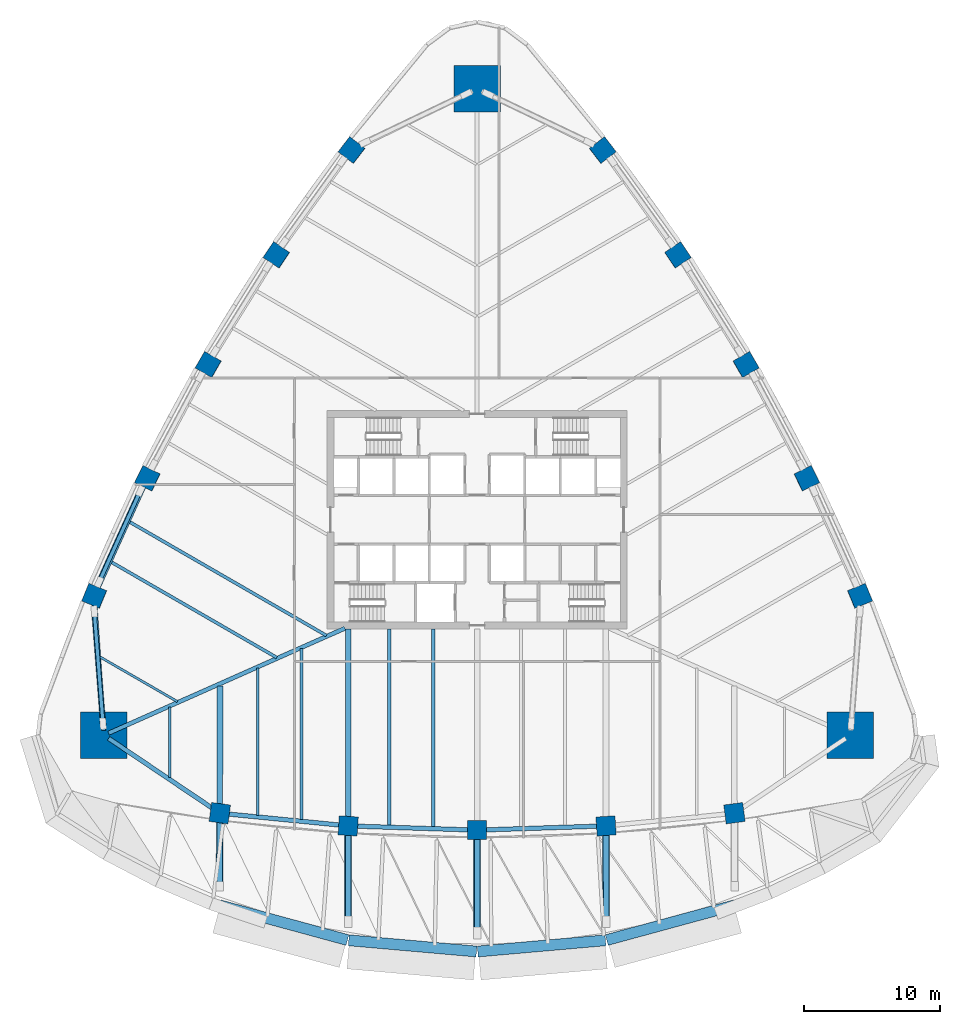
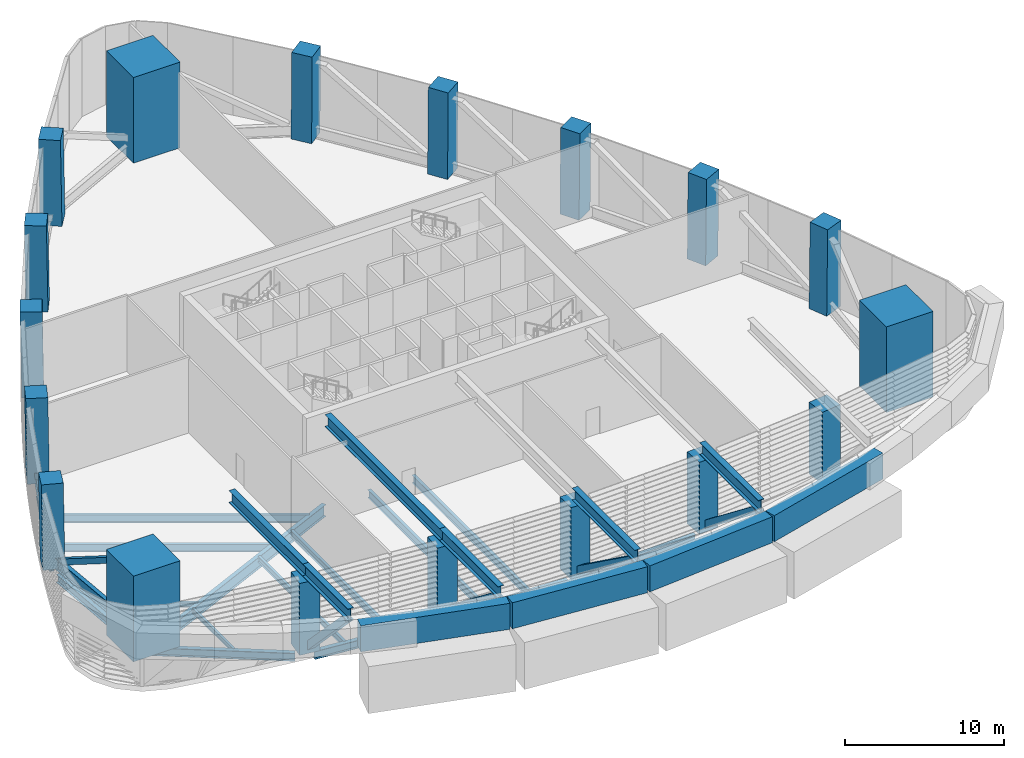
# One storey, part 1 of 15: 27 beams, 18 columns, 6 members.
"""IFC4 building model written with IfcOpenShell, lengths in metres."""

import ifcopenshell
import ifcopenshell.guid

model = None  # the IFC model being written
_history = None  # IfcOwnerHistory: only IFC2X3 demands one
_inside = {}  # id of a spatial element -> (the spatial element, [elements in it])
_under = {}  # id of a project, library or spatial element -> (it, [spatial elements below it])
_declared = {}  # id of a project -> (the project, [libraries it declares])
_typed = {}  # id of a type object -> (the type object, [elements of that type])
_made_of = {}  # id of a material, layer set ... -> (it, [elements and type objects made of it])


def new_model(schema):
    """Start an empty IFC model of exactly this schema.

    Asked for "IFC4X3", IfcOpenShell would pick the latest addendum, in which some entities
    have other attributes; the version numbers below select the first issue.
    IFC2X3 requires an IfcOwnerHistory on every rooted entity: one is made here for all.
    """
    global model, _history
    if schema == "IFC4X3":
        model = ifcopenshell.file(schema_version=(4, 3, 0, 0))
    else:
        model = ifcopenshell.file(schema=schema)
    _inside.clear()
    _under.clear()
    _declared.clear()
    _typed.clear()
    _made_of.clear()
    _history = None
    if model.schema == "IFC2X3":
        org = make("IfcOrganization", Name="unknown")
        user = make(
            "IfcPersonAndOrganization",
            ThePerson=make("IfcPerson", FamilyName="unknown"),
            TheOrganization=org,
        )
        app = make(
            "IfcApplication",
            ApplicationDeveloper=org,
            Version="unknown",
            ApplicationFullName="unknown",
            ApplicationIdentifier="unknown",
        )
        _history = make(
            "IfcOwnerHistory",
            OwningUser=user,
            OwningApplication=app,
            ChangeAction="ADDED",
            CreationDate=0,
        )
    return model


def make(cls, **values):
    """One entity of the class cls with the attributes given. An attribute that is None is left unset."""
    return model.create_entity(
        cls, **{name: value for name, value in values.items() if value is not None}
    )


def rooted(cls, **values):
    """An entity with a GlobalId (a new one), such as an element, a storey or a relation."""
    return make(cls, GlobalId=ifcopenshell.guid.new(), OwnerHistory=_history, **values)


def si_unit(unit_type, name, prefix=None):
    """IfcSIUnit, for example si_unit("LENGTHUNIT", "METRE", prefix="MILLI")."""
    return make("IfcSIUnit", UnitType=unit_type, Prefix=prefix, Name=name)


def assignment(units):
    """IfcUnitAssignment: the units of a project."""
    return None if units is None else make("IfcUnitAssignment", Units=units)


def point(xyz):
    """IfcCartesianPoint."""
    return None if xyz is None else make("IfcCartesianPoint", Coordinates=xyz)


def direction(xyz):
    """IfcDirection."""
    return None if xyz is None else make("IfcDirection", DirectionRatios=xyz)


def frame(location, z_axis=None, x_axis=None):
    """IfcAxis2Placement3D, a coordinate frame: its origin and axes. An axis left out is left unset."""
    return make(
        "IfcAxis2Placement3D",
        Location=point(location),
        Axis=direction(z_axis),
        RefDirection=direction(x_axis),
    )


def frame_2d(location, x_axis=None):
    """IfcAxis2Placement2D, a coordinate frame in the plane: its origin and x axis."""
    return make(
        "IfcAxis2Placement2D", Location=point(location), RefDirection=direction(x_axis)
    )


def origin():
    """The frame at (0, 0, 0) with its axes left unset."""
    return frame((0.0, 0.0, 0.0))


def origin_2d():
    """The frame at (0, 0) in the plane with its x axis left unset."""
    return frame_2d((0.0, 0.0))


def place(relative_to, where):
    """IfcLocalPlacement: puts the frame where relative to a parent placement (None: the world)."""
    return make(
        "IfcLocalPlacement", PlacementRelTo=relative_to, RelativePlacement=where
    )


def context(
    kind, dimensions, precision=None, world=None, true_north=None, identifier=None
):
    """IfcGeometricRepresentationContext, for example the 3D "Model" context."""
    return make(
        "IfcGeometricRepresentationContext",
        ContextIdentifier=identifier,
        ContextType=kind,
        CoordinateSpaceDimension=dimensions,
        Precision=precision,
        WorldCoordinateSystem=world,
        TrueNorth=true_north,
    )


def subcontext(parent, identifier, kind, view, scale=None):
    """IfcGeometricRepresentationSubContext, for example "Body" below "Model"."""
    return make(
        "IfcGeometricRepresentationSubContext",
        ContextIdentifier=identifier,
        ContextType=kind,
        ParentContext=parent,
        TargetScale=scale,
        TargetView=view,
    )


def project(units=None, contexts=None):
    """IfcProject with its units and contexts."""
    return rooted(
        "IfcProject",
        Name="project",
        RepresentationContexts=contexts,
        UnitsInContext=assignment(units),
    )


def spatial(cls, under=None, at=None, **own):
    """A site, building, storey or space (cls), placed at a placement, below another one or the project."""
    s = rooted(cls, ObjectPlacement=at, **own)
    if under is not None:
        _under.setdefault(under.id(), (under, []))[1].append(s)
    return s


def profile(cls, at=None, kind="AREA", **sizes):
    """A parametric profile (cls). Its sizes go by their IFC names, for example OverallWidth=200.0."""
    return make(cls, ProfileType=kind, Position=at, **sizes)


def rectangle(**sizes):
    """IfcRectangleProfileDef."""
    return profile("IfcRectangleProfileDef", **sizes)


def hollow_rectangle(**sizes):
    """IfcRectangleHollowProfileDef."""
    return profile("IfcRectangleHollowProfileDef", **sizes)


def i_section(**sizes):
    """IfcIShapeProfileDef."""
    return profile("IfcIShapeProfileDef", **sizes)


def extrude(swept, where, along, depth):
    """IfcExtrudedAreaSolid: the profile swept, set in the frame where, extruded along a direction by depth."""
    return make(
        "IfcExtrudedAreaSolid",
        SweptArea=swept,
        Position=where,
        ExtrudedDirection=direction(along),
        Depth=depth,
    )


def clip(a, b, op="DIFFERENCE"):
    """IfcBooleanClippingResult: the solid a cut by the half space b."""
    return make(
        "IfcBooleanClippingResult", Operator=op, FirstOperand=a, SecondOperand=b
    )


def halfspace(plane, agree):
    """IfcHalfSpaceSolid: all space on one side of the plane z = 0 of the frame plane."""
    return make(
        "IfcHalfSpaceSolid",
        BaseSurface=make("IfcPlane", Position=plane),
        AgreementFlag=agree,
    )


def shape(context_of_items, identifier, shape_type, items):
    """IfcShapeRepresentation: the items that make up one representation, for example the "Body"."""
    return make(
        "IfcShapeRepresentation",
        ContextOfItems=context_of_items,
        RepresentationIdentifier=identifier,
        RepresentationType=shape_type,
        Items=items,
    )


def material(Name=None, Category=None):
    """IfcMaterial."""
    return make("IfcMaterial", Name=Name, Category=Category)


def material_profile(
    of_material, cross_section, Name=None, Category=None, Priority=None
):
    """IfcMaterialProfile: a cross section and its material."""
    return make(
        "IfcMaterialProfile",
        Name=Name,
        Material=of_material,
        Profile=cross_section,
        Priority=Priority,
        Category=Category,
    )


def profile_set(profiles, Name=None, composite=None):
    """IfcMaterialProfileSet."""
    return make(
        "IfcMaterialProfileSet",
        Name=Name,
        MaterialProfiles=profiles,
        CompositeProfile=composite,
    )


def made_of(thing, what):
    """Note that an element or type object is made of a material, layer set ...; save() writes the relation."""
    if what is not None:
        _made_of.setdefault(what.id(), (what, []))[1].append(thing)
    return thing


def type_object(cls, material=None, **own):
    """A type object (cls), such as IfcWallType, which elements share."""
    return made_of(rooted(cls, **own), material)


def element(
    cls,
    number,
    at=None,
    inside=None,
    cuts=None,
    type_object=None,
    material=None,
    context=None,
    identifier="Body",
    shape_type=None,
    held_by="IfcProductDefinitionShape",
    body=None,
    shapes=None,
    **own,
):
    """One element of the class cls, such as IfcWall. Its Tag is "e" and its number.

    at: its placement. inside: the storey or other place that contains it. cuts: it is an
    opening in that element (IfcRelVoidsElement). A single representation is given by context,
    identifier, shape_type and body (its items); several are given by shapes. held_by: the class
    of the entity that holds the representations. save() writes the other relations.
    """
    e = rooted(cls, Tag="e%d" % number, ObjectPlacement=at, **own)
    if body is not None:
        shapes = [shape(context, identifier, shape_type, body)]
    if shapes is not None:
        e.Representation = make(held_by, Representations=shapes)
    if inside is not None:
        _inside.setdefault(inside.id(), (inside, []))[1].append(e)
    if cuts is not None:
        rooted(
            "IfcRelVoidsElement", RelatingBuildingElement=cuts, RelatedOpeningElement=e
        )
    if type_object is not None:
        _typed.setdefault(type_object.id(), (type_object, []))[1].append(e)
    return made_of(e, material)


def aggregate(whole, parts):
    """IfcRelAggregates: a whole, such as a stair, and the parts it consists of."""
    return rooted("IfcRelAggregates", RelatingObject=whole, RelatedObjects=parts)


def save(model, path):
    """Write the relations noted so far, then the file.

    IfcRelAggregates (storeys below a building ...), IfcRelContainedInSpatialStructure (elements
    in a storey), IfcRelDefinesByType, IfcRelAssociatesMaterial and IfcRelDeclares: one each for
    every whole, place, type object, material and project.
    """
    for whole, parts in _under.values():
        aggregate(whole, parts)
    for where, things in _inside.values():
        rooted(
            "IfcRelContainedInSpatialStructure",
            RelatedElements=things,
            RelatingStructure=where,
        )
    for kind, things in _typed.values():
        rooted("IfcRelDefinesByType", RelatedObjects=things, RelatingType=kind)
    for what, things in _made_of.values():
        rooted("IfcRelAssociatesMaterial", RelatedObjects=things, RelatingMaterial=what)
    for by, libraries in _declared.values():
        rooted("IfcRelDeclares", RelatingContext=by, RelatedDefinitions=libraries)
    model.write(path)


model = new_model("IFC4")

# Units and contexts
model_context = context("Model", 3, precision=1e-05, world=origin(), true_north=direction((0.0, 1.0)))
body_context = subcontext(model_context, "Body", "Model", "MODEL_VIEW")
ifc_project = project(units=[si_unit("LENGTHUNIT", "METRE"), si_unit("AREAUNIT", "SQUARE_METRE"), si_unit("VOLUMEUNIT", "CUBIC_METRE"), si_unit("PLANEANGLEUNIT", "RADIAN"), si_unit("MASSUNIT", "GRAM", prefix="KILO")], contexts=[model_context])

# Site, building, storey
site_placement = place(None, origin())
site = spatial("IfcSite", under=ifc_project, at=site_placement, CompositionType="ELEMENT")
building_placement = place(site_placement, origin())
building = spatial("IfcBuilding", under=site, at=building_placement, Name="Sierra Prisma Convention Tower", CompositionType="ELEMENT")
storey_placement = place(building_placement, frame((0.0, 0.0, 34.199951171875)))
storey = spatial("IfcBuildingStorey", under=building, at=storey_placement, Name="L05", CompositionType="ELEMENT", Elevation=34.199951171875)

# Columns
ifc_material_1 = material(Name="Concrete C70/85", Category="concrete")
ifc_material_profile_1 = material_profile(ifc_material_1, rectangle(XDim=3.39990234375, YDim=3.39990234375, at=origin_2d()), Name="Mega column RC 3400 C70/85")
ifc_profile_set_1 = profile_set([ifc_material_profile_1], Name="Concrete C70/85")
column_type_1 = type_object("IfcColumnType", Name="Mega column RC 3400 C70/85", PredefinedType="COLUMN", material=ifc_profile_set_1)
column_1_placement = place(storey_placement, frame((27.35498046875, -15.79345703125, 0.0), z_axis=(0.0, 0.0, 1.0), x_axis=(1.0, 0.0, 0.0)))
element("IfcColumn", 1, at=column_1_placement, inside=storey, type_object=column_type_1, Name="Mega column SE L05", PredefinedType="COLUMN", context=body_context, shape_type="SweptSolid", body=[
    clip(extrude(rectangle(XDim=3.39990234375, YDim=3.39990234375, at=origin_2d()), origin(), (0.0, 0.0, 1.0), 6.60009765625), halfspace(frame((0.0, 0.0, 6.581298828125)), False)),
])
column_2_placement = place(storey_placement, frame((0.0, 31.5869140625, 0.0), z_axis=(0.0, 0.0, 1.0), x_axis=(1.0, 0.0, 0.0)))
element("IfcColumn", 2, at=column_2_placement, inside=storey, type_object=column_type_1, Name="Mega column N L05", PredefinedType="COLUMN", context=body_context, shape_type="SweptSolid", body=[
    clip(extrude(rectangle(XDim=3.39990234375, YDim=3.39990234375, at=origin_2d()), origin(), (0.0, 0.0, 1.0), 6.60009765625), halfspace(frame((0.0, 0.0, 6.586181640625)), False)),
])
column_3_placement = place(storey_placement, frame((-27.35498046875, -15.79345703125, 0.0), z_axis=(0.0, 0.0, 1.0), x_axis=(1.0, 0.0, 0.0)))
element("IfcColumn", 3, at=column_3_placement, inside=storey, type_object=column_type_1, Name="Mega column SW L05", PredefinedType="COLUMN", context=body_context, shape_type="SweptSolid", body=[
    clip(extrude(rectangle(XDim=3.39990234375, YDim=3.39990234375, at=origin_2d()), origin(), (0.0, 0.0, 1.0), 6.60009765625), halfspace(frame((0.0, 0.0, 6.581298828125)), False)),
])
ifc_material_2 = material(Name="Concrete C70/85", Category="concrete")
ifc_material_profile_2 = material_profile(ifc_material_2, rectangle(XDim=1.39990234375, YDim=1.39990234375, at=origin_2d()), Name="Perimeter column RC 1400 C70/85")
ifc_profile_set_2 = profile_set([ifc_material_profile_2], Name="Concrete C70/85")
column_type_2 = type_object("IfcColumnType", Name="Perimeter column RC 1400 C70/85", PredefinedType="COLUMN", material=ifc_profile_set_2)
for number, where, z_axis, x_axis, name in (
    (4, (-18.85986328125, -21.50830078125, 0.0), (0.0, 0.0, 1.0), (-0.991367231014, 0.131114504428, 0.0), "Perimeter column S-1 L05"),
    (5, (-9.450439453125, -22.439208984375, 0.0), (0.0, 0.0, 1.0), (-0.997839473817, 0.06569919705, 0.0), "Perimeter column S-2 L05"),
    (6, (0.0, -22.75, 0.0), (0.0, 0.0, 1.0), (1.0, 0.0, 0.0), "Perimeter column S-3 L05"),
    (7, (9.450439453125, -22.439208984375, 0.0), (0.0, 0.0, 1.0), (0.997839473817, 0.06569919705, 0.0), "Perimeter column S-4 L05"),
    (8, (18.85986328125, -21.50830078125, 0.0), (0.0, 0.0, 1.0), (0.991367231014, 0.131114504428, 0.0), "Perimeter column S-5 L05"),
):
    element("IfcColumn", number, at=place(storey_placement, frame(where, z_axis=z_axis, x_axis=x_axis)), inside=storey, type_object=column_type_2, Name=name, PredefinedType="COLUMN", context=body_context, shape_type="SweptSolid", body=[
        extrude(rectangle(XDim=1.39990234375, YDim=1.39990234375, at=origin_2d()), origin(), (0.0, 0.0, 1.0), 5.52294921875),
    ])
column_4_placement = place(storey_placement, frame((28.056640625, -5.5791015625, 0.0), z_axis=(0.013980790196, 0.005806836139, 0.999885402513), x_axis=(-0.3820977755, 0.924121901792, -2.4198396e-05)))
element("IfcColumn", 9, at=column_4_placement, inside=storey, type_object=column_type_2, Name="Perimeter column NE-1 L05", PredefinedType="COLUMN", context=body_context, shape_type="SweptSolid", body=[
    clip(clip(extrude(rectangle(XDim=1.39990234375, YDim=1.39990234375, at=origin_2d()), origin(), (0.0, 0.0, 1.0), 6.600830078125), halfspace(frame((0.0, 0.0, 0.005615234375)), True)), halfspace(frame((0.0, 0.0, 6.591064453125)), False)),
])
column_5_placement = place(storey_placement, frame((24.158203125, 3.035400390625, 0.0), z_axis=(0.013573942574, 0.006694505738, 0.999885459278), x_axis=(-0.441981839627, 0.897023998234, -5.696846e-06)))
element("IfcColumn", 10, at=column_5_placement, inside=storey, type_object=column_type_2, Name="Perimeter column NE-2 L05", PredefinedType="COLUMN", context=body_context, shape_type="SweptSolid", body=[
    clip(clip(extrude(rectangle(XDim=1.39990234375, YDim=1.39990234375, at=origin_2d()), origin(), (0.0, 0.0, 1.0), 6.600830078125), halfspace(frame((0.0, 0.0, 0.005615234375)), True)), halfspace(frame((0.0, 0.0, 6.5927734375)), False)),
])
column_6_placement = place(storey_placement, frame((19.7021484375, 11.375, 0.0), z_axis=(0.013130102551, 0.007582171896, 0.999885048931), x_axis=(-0.499956898244, 0.866050287162, -2.057039e-06)))
element("IfcColumn", 11, at=column_6_placement, inside=storey, type_object=column_type_2, Name="Perimeter column NE-3 L05", PredefinedType="COLUMN", context=body_context, shape_type="SweptSolid", body=[
    clip(clip(extrude(rectangle(XDim=1.39990234375, YDim=1.39990234375, at=origin_2d()), origin(), (0.0, 0.0, 1.0), 6.600830078125), halfspace(frame((0.0, 0.0, 0.005615234375)), True)), halfspace(frame((0.0, 0.0, 6.593994140625)), False)),
])
column_7_placement = place(storey_placement, frame((14.707763671875, 19.40380859375, 0.0), z_axis=(0.012612293835, 0.008432853356, 0.99988490189), x_axis=(-0.555772701918, 0.831334291246, -9.51655e-07)))
element("IfcColumn", 12, at=column_7_placement, inside=storey, type_object=column_type_2, Name="Perimeter column NE-4 L05", PredefinedType="COLUMN", context=body_context, shape_type="SweptSolid", body=[
    clip(clip(extrude(rectangle(XDim=1.39990234375, YDim=1.39990234375, at=origin_2d()), origin(), (0.0, 0.0, 1.0), 6.600830078125), halfspace(frame((0.0, 0.0, 0.005615234375)), True)), halfspace(frame((0.0, 0.0, 6.5927734375)), False)),
])
for number, where, z_axis, x_axis, name in (
    (13, (9.19677734375, 27.08740234375, 0.0), (0.011983539011, 0.009209571647, 0.999885782769), (-0.609188361124, 0.793025561165, -3.193598e-06), "Perimeter column NE-5 L05"),
    (14, (-9.19677734375, 27.08740234375, 0.0), (-0.011983539011, 0.009209571647, 0.999885782769), (0.609188361124, 0.793025561165, -3.193598e-06), "Perimeter column NW-1 L05"),
):
    element("IfcColumn", number, at=place(storey_placement, frame(where, z_axis=z_axis, x_axis=x_axis)), inside=storey, type_object=column_type_2, Name=name, PredefinedType="COLUMN", context=body_context, shape_type="SweptSolid", body=[
        clip(clip(extrude(rectangle(XDim=1.39990234375, YDim=1.39990234375, at=origin_2d()), origin(), (0.0, 0.0, 1.0), 6.600830078125), halfspace(frame((0.0, 0.0, 0.005615234375)), True)), halfspace(frame((0.0, 0.0, 6.591064453125)), False)),
    ])
column_8_placement = place(storey_placement, frame((-14.707763671875, 19.40380859375, 0.0), z_axis=(-0.012612293835, 0.008432853356, 0.99988490189), x_axis=(0.555772701918, 0.831334291246, -9.51655e-07)))
element("IfcColumn", 15, at=column_8_placement, inside=storey, type_object=column_type_2, Name="Perimeter column NW-2 L05", PredefinedType="COLUMN", context=body_context, shape_type="SweptSolid", body=[
    clip(clip(extrude(rectangle(XDim=1.39990234375, YDim=1.39990234375, at=origin_2d()), origin(), (0.0, 0.0, 1.0), 6.600830078125), halfspace(frame((0.0, 0.0, 0.005615234375)), True)), halfspace(frame((0.0, 0.0, 6.5927734375)), False)),
])
column_9_placement = place(storey_placement, frame((-19.7021484375, 11.375, 0.0), z_axis=(-0.013130102551, 0.007582171896, 0.999885048931), x_axis=(0.499956898244, 0.866050287162, -2.057039e-06)))
element("IfcColumn", 16, at=column_9_placement, inside=storey, type_object=column_type_2, Name="Perimeter column NW-3 L05", PredefinedType="COLUMN", context=body_context, shape_type="SweptSolid", body=[
    clip(clip(extrude(rectangle(XDim=1.39990234375, YDim=1.39990234375, at=origin_2d()), origin(), (0.0, 0.0, 1.0), 6.600830078125), halfspace(frame((0.0, 0.0, 0.005615234375)), True)), halfspace(frame((0.0, 0.0, 6.593994140625)), False)),
])
column_10_placement = place(storey_placement, frame((-24.158203125, 3.035400390625, 0.0), z_axis=(-0.013573942574, 0.006694505738, 0.999885459278), x_axis=(0.441981839627, 0.897023998234, -5.696846e-06)))
element("IfcColumn", 17, at=column_10_placement, inside=storey, type_object=column_type_2, Name="Perimeter column NW-4 L05", PredefinedType="COLUMN", context=body_context, shape_type="SweptSolid", body=[
    clip(clip(extrude(rectangle(XDim=1.39990234375, YDim=1.39990234375, at=origin_2d()), origin(), (0.0, 0.0, 1.0), 6.600830078125), halfspace(frame((0.0, 0.0, 0.005615234375)), True)), halfspace(frame((0.0, 0.0, 6.5927734375)), False)),
])
column_11_placement = place(storey_placement, frame((-28.056640625, -5.5791015625, 0.0), z_axis=(-0.013980790196, 0.005806836139, 0.999885402513), x_axis=(0.3820977755, 0.924121901792, -2.4198396e-05)))
element("IfcColumn", 18, at=column_11_placement, inside=storey, type_object=column_type_2, Name="Perimeter column NW-5 L05", PredefinedType="COLUMN", context=body_context, shape_type="SweptSolid", body=[
    clip(clip(extrude(rectangle(XDim=1.39990234375, YDim=1.39990234375, at=origin_2d()), origin(), (0.0, 0.0, 1.0), 6.600830078125), halfspace(frame((0.0, 0.0, 0.005615234375)), True)), halfspace(frame((0.0, 0.0, 6.591064453125)), False)),
])

# Beams
ifc_material_3 = material(Name="Steel ASTM A992 Gr 50", Category="steel")
ifc_material_profile_3 = material_profile(ifc_material_3, i_section(OverallWidth=0.172119140625, OverallDepth=0.35791015625, WebThickness=0.0078125, FlangeThickness=0.01318359375, at=origin_2d()), Name="W360x57")
ifc_profile_set_3 = profile_set([ifc_material_profile_3], Name="Steel ASTM A992 Gr 50")
beam_type_1 = type_object("IfcBeamType", Name="Floor joist W360x57", PredefinedType="JOIST", material=ifc_profile_set_3)
beam_1_placement = place(storey_placement, frame((-22.52783203125, -18.89501953125, -0.578857421875), z_axis=(0.0, 1.0, 0.0), x_axis=(-1.0, 0.0, 0.0)))
element("IfcBeam", 19, at=beam_1_placement, inside=storey, type_object=beam_type_1, Name="Floor joist L05 S02", PredefinedType="JOIST", context=body_context, shape_type="SweptSolid", body=[
    extrude(i_section(OverallWidth=0.172119140625, OverallDepth=0.35791015625, WebThickness=0.0078125, FlangeThickness=0.01318359375, at=origin_2d()), origin(), (0.0, 0.0, 1.0), 5.177978515625),
])
beam_2_placement = place(storey_placement, frame((-27.62744140625, -10.06201171875, -0.578857421875), z_axis=(0.866022747659, -0.500004600516, 0.0), x_axis=(0.500004600516, 0.866022747659, 0.0)))
element("IfcBeam", 20, at=beam_2_placement, inside=storey, type_object=beam_type_1, Name="Floor joist L05 NW16", PredefinedType="JOIST", context=body_context, shape_type="SweptSolid", body=[
    extrude(i_section(OverallWidth=0.172119140625, OverallDepth=0.35791015625, WebThickness=0.0078125, FlangeThickness=0.01318359375, at=origin_2d()), origin(), (0.0, 0.0, 1.0), 6.54150390625),
])
ifc_material_4 = material(Name="Steel ASTM A992 Gr 50", Category="steel")
ifc_material_profile_4 = material_profile(ifc_material_4, i_section(OverallWidth=0.18994140625, OverallDepth=0.45703125, WebThickness=0.009033203125, FlangeThickness=0.014404296875, at=origin_2d()), Name="W460x74")
ifc_profile_set_4 = profile_set([ifc_material_profile_4], Name="Steel ASTM A992 Gr 50")
beam_type_2 = type_object("IfcBeamType", Name="Floor joist W460x74", PredefinedType="JOIST", material=ifc_profile_set_4)
beam_3_placement = place(storey_placement, frame((-16.09130859375, -21.6689453125, -0.62841796875), z_axis=(0.0, 1.0, 0.0), x_axis=(-1.0, 0.0, 0.0)))
element("IfcBeam", 21, at=beam_3_placement, inside=storey, type_object=beam_type_2, Name="Floor joist L05 S04", PredefinedType="JOIST", context=body_context, shape_type="SweptSolid", body=[
    extrude(i_section(OverallWidth=0.18994140625, OverallDepth=0.45703125, WebThickness=0.009033203125, FlangeThickness=0.014404296875, at=origin_2d()), origin(), (0.0, 0.0, 1.0), 10.8095703125),
])
ifc_material_5 = material(Name="Steel ASTM A992 Gr 50", Category="steel")
ifc_material_profile_5 = material_profile(ifc_material_5, i_section(OverallWidth=0.208984375, OverallDepth=0.532958984375, WebThickness=0.01025390625, FlangeThickness=0.015625, at=origin_2d()), Name="W530x92")
ifc_profile_set_5 = profile_set([ifc_material_profile_5], Name="Steel ASTM A992 Gr 50")
beam_type_3 = type_object("IfcBeamType", Name="Floor joist W530x92", PredefinedType="JOIST", material=ifc_profile_set_5)
beam_4_placement = place(storey_placement, frame((-12.873046875, -21.9873046875, -0.66650390625), z_axis=(0.0, 1.0, 0.0), x_axis=(-1.0, 0.0, 0.0)))
element("IfcBeam", 22, at=beam_4_placement, inside=storey, type_object=beam_type_3, Name="Floor joist L05 S05", PredefinedType="JOIST", context=body_context, shape_type="SweptSolid", body=[
    extrude(i_section(OverallWidth=0.208984375, OverallDepth=0.532958984375, WebThickness=0.01025390625, FlangeThickness=0.015625, at=origin_2d()), origin(), (0.0, 0.0, 1.0), 12.556640625),
])
ifc_material_6 = material(Name="Steel ASTM A992 Gr 50", Category="steel")
ifc_material_profile_6 = material_profile(ifc_material_6, i_section(OverallWidth=0.22802734375, OverallDepth=0.60302734375, WebThickness=0.010498046875, FlangeThickness=0.014892578125, at=origin_2d()), Name="W610x101")
ifc_profile_set_6 = profile_set([ifc_material_profile_6], Name="Steel ASTM A992 Gr 50")
beam_type_4 = type_object("IfcBeamType", Name="Floor joist W610x101", PredefinedType="JOIST", material=ifc_profile_set_6)
beam_5_placement = place(storey_placement, frame((-6.4365234375, -22.42578125, -0.701416015625), z_axis=(0.0, 1.0, 0.0), x_axis=(-1.0, 0.0, 0.0)))
element("IfcBeam", 23, at=beam_5_placement, inside=storey, type_object=beam_type_4, Name="Floor joist L05 S07", PredefinedType="JOIST", context=body_context, shape_type="SweptSolid", body=[
    extrude(i_section(OverallWidth=0.22802734375, OverallDepth=0.60302734375, WebThickness=0.010498046875, FlangeThickness=0.014892578125, at=origin_2d()), origin(), (0.0, 0.0, 1.0), 14.42578125),
])
beam_6_placement = place(storey_placement, frame((-3.21826171875, -22.531494140625, -0.701416015625), z_axis=(0.0, 1.0, 0.0), x_axis=(-1.0, 0.0, 0.0)))
element("IfcBeam", 24, at=beam_6_placement, inside=storey, type_object=beam_type_4, Name="Floor joist L05 S08", PredefinedType="JOIST", context=body_context, shape_type="SweptSolid", body=[
    extrude(i_section(OverallWidth=0.22802734375, OverallDepth=0.60302734375, WebThickness=0.010498046875, FlangeThickness=0.014892578125, at=origin_2d()), origin(), (0.0, 0.0, 1.0), 14.531494140625),
])
beam_7_placement = place(storey_placement, frame((-25.47802734375, -0.15478515625, -0.701416015625), z_axis=(0.866027491634, -0.499996383721, 0.0), x_axis=(0.499996383721, 0.866027491634, 0.0)))
element("IfcBeam", 25, at=beam_7_placement, inside=storey, type_object=beam_type_4, Name="Floor joist L05 NW13", PredefinedType="JOIST", context=body_context, shape_type="SweptSolid", body=[
    extrude(i_section(OverallWidth=0.22802734375, OverallDepth=0.60302734375, WebThickness=0.010498046875, FlangeThickness=0.014892578125, at=origin_2d()), origin(), (0.0, 0.0, 1.0), 16.6640625),
])
beam_8_placement = place(storey_placement, frame((-26.8115234375, -3.10107421875, -0.701416015625), z_axis=(0.866032862007, -0.499987081758, 0.0), x_axis=(0.499987081758, 0.866032862007, 0.0)))
element("IfcBeam", 26, at=beam_8_placement, inside=storey, type_object=beam_type_4, Name="Floor joist L05 NW14", PredefinedType="JOIST", context=body_context, shape_type="SweptSolid", body=[
    extrude(i_section(OverallWidth=0.22802734375, OverallDepth=0.60302734375, WebThickness=0.010498046875, FlangeThickness=0.014892578125, at=origin_2d()), origin(), (0.0, 0.0, 1.0), 14.002197265625),
])
ifc_material_7 = material(Name="Concrete C70/85", Category="concrete")
ifc_material_profile_7 = material_profile(ifc_material_7, rectangle(XDim=0.800048828125, YDim=2.0, at=origin_2d()), Name="Overhang edge girder RC 800x2000 C70/85")
ifc_profile_set_7 = profile_set([ifc_material_profile_7], Name="Concrete C70/85")
beam_type_5 = type_object("IfcBeamType", Name="Overhang edge girder RC 800x2000 C70/85", PredefinedType="BEAM", material=ifc_profile_set_7)
beam_9_placement = place(storey_placement, frame((-18.87548828125, -28.257080078125, 5.0), z_axis=(0.964950612139, -0.262431545611, 0.0), x_axis=(0.262431545611, 0.964950612139, 0.0)))
element("IfcBeam", 27, at=beam_9_placement, inside=storey, type_object=beam_type_5, Name="Overhang edge girder 1", PredefinedType="BEAM", context=body_context, shape_type="SweptSolid", body=[
    clip(extrude(rectangle(XDim=0.800048828125, YDim=2.0, at=origin_2d()), origin(), (0.0, 0.0, 1.0), 9.759765625), halfspace(frame((0.0, 0.0, 9.712158203125)), False)),
])
beam_10_placement = place(storey_placement, frame((-9.457763671875, -30.818359375, 5.0), z_axis=(0.99615714976, -0.08758386257, 0.0), x_axis=(0.08758386257, 0.99615714976, 0.0)))
element("IfcBeam", 28, at=beam_10_placement, inside=storey, type_object=beam_type_5, Name="Overhang edge girder 2", PredefinedType="BEAM", context=body_context, shape_type="SweptSolid", body=[
    clip(clip(extrude(rectangle(XDim=0.800048828125, YDim=2.0, at=origin_2d()), origin(), (0.0, 0.0, 1.0), 9.494140625), halfspace(frame((0.0, 0.0, 0.047607421875)), True)), halfspace(frame((0.0, 0.0, 9.447021484375)), False)),
])
beam_11_placement = place(storey_placement, frame((0.0, -31.64990234375, 5.0), z_axis=(0.99615714976, 0.08758386257, 0.0), x_axis=(-0.08758386257, 0.99615714976, 0.0)))
element("IfcBeam", 29, at=beam_11_placement, inside=storey, type_object=beam_type_5, Name="Overhang edge girder 3", PredefinedType="BEAM", context=body_context, shape_type="SweptSolid", body=[
    clip(clip(extrude(rectangle(XDim=0.800048828125, YDim=2.0, at=origin_2d()), origin(), (0.0, 0.0, 1.0), 9.494140625), halfspace(frame((0.0, 0.0, 0.047119140625)), True)), halfspace(frame((0.0, 0.0, 9.446533203125)), False)),
])
beam_12_placement = place(storey_placement, frame((9.457763671875, -30.818359375, 5.0), z_axis=(0.964950612139, 0.262431545611, 0.0), x_axis=(-0.262431545611, 0.964950612139, 0.0)))
element("IfcBeam", 30, at=beam_12_placement, inside=storey, type_object=beam_type_5, Name="Overhang edge girder 4", PredefinedType="BEAM", context=body_context, shape_type="SweptSolid", body=[
    clip(extrude(rectangle(XDim=0.800048828125, YDim=2.0, at=origin_2d()), origin(), (0.0, 0.0, 1.0), 9.759765625), halfspace(frame((0.0, 0.0, 0.047607421875)), True)),
])
ifc_material_8 = material(Name="Steel ASTM A992 Gr 50", Category="steel")
ifc_material_profile_8 = material_profile(ifc_material_8, i_section(OverallWidth=0.303955078125, OverallDepth=0.903076171875, WebThickness=0.01513671875, FlangeThickness=0.02001953125, at=origin_2d()), Name="W920x201")
ifc_profile_set_8 = profile_set([ifc_material_profile_8], Name="Steel ASTM A992 Gr 50")
beam_type_6 = type_object("IfcBeamType", Name="Radial girder W920x201", PredefinedType="BEAM", material=ifc_profile_set_8)
beam_13_placement = place(storey_placement, frame((-27.01513671875, -15.642578125, -0.8515625), z_axis=(0.91398196052, 0.405754822331, 0.0), x_axis=(-0.405754822331, 0.91398196052, 0.0)))
element("IfcBeam", 31, at=beam_13_placement, inside=storey, type_object=beam_type_6, Name="Radial girder L05 SW", PredefinedType="BEAM", context=body_context, shape_type="SweptSolid", body=[
    extrude(i_section(OverallWidth=0.303955078125, OverallDepth=0.903076171875, WebThickness=0.01513671875, FlangeThickness=0.02001953125, at=origin_2d()), origin(), (0.0, 0.0, 1.0), 18.955078125),
])
ifc_material_9 = material(Name="Steel ASTM A992 Gr 50", Category="steel")
ifc_material_profile_9 = material_profile(ifc_material_9, i_section(OverallWidth=0.324951171875, OverallDepth=0.615966796875, WebThickness=0.013916015625, FlangeThickness=0.021484375, at=origin_2d()), Name="W610x174")
ifc_profile_set_9 = profile_set([ifc_material_profile_9], Name="Steel ASTM A992 Gr 50")
beam_type_7 = type_object("IfcBeamType", Name="Spandrel beam W610x174", PredefinedType="BEAM", material=ifc_profile_set_9)
beam_14_placement = place(storey_placement, frame((-27.01513671875, -16.022216796875, -0.7080078125), z_axis=(0.829740498665, -0.558149357139, 0.0), x_axis=(0.558149357139, 0.829740498665, 0.0)))
element("IfcBeam", 32, at=beam_14_placement, inside=storey, type_object=beam_type_7, Name="Spandrel L05-01", PredefinedType="BEAM", context=body_context, shape_type="SweptSolid", body=[
    extrude(i_section(OverallWidth=0.324951171875, OverallDepth=0.615966796875, WebThickness=0.013916015625, FlangeThickness=0.021484375, at=origin_2d()), origin(), (0.0, 0.0, 1.0), 9.167236328125),
])
beam_15_placement = place(storey_placement, frame((-18.2822265625, -21.5654296875, -0.7080078125), z_axis=(0.99514126278, -0.098457438079, 0.0), x_axis=(0.098457438079, 0.99514126278, 0.0)))
element("IfcBeam", 33, at=beam_15_placement, inside=storey, type_object=beam_type_7, Name="Spandrel L05-02", PredefinedType="BEAM", context=body_context, shape_type="SweptSolid", body=[
    extrude(i_section(OverallWidth=0.324951171875, OverallDepth=0.615966796875, WebThickness=0.013916015625, FlangeThickness=0.021484375, at=origin_2d()), origin(), (0.0, 0.0, 1.0), 8.29443359375),
])
for number, where, z_axis, x_axis, name in (
    (34, (-8.870361328125, -22.458251953125, -0.7080078125), (0.999459413184, -0.032876760742, 0.0), (0.032876760742, 0.999459413184, 0.0), "Spandrel L05-03"),
    (35, (0.580078125, -22.73095703125, -0.7080078125), (0.999459413184, 0.032876760742, 0.0), (-0.032876760742, 0.999459413184, 0.0), "Spandrel L05-04"),
    (36, (-24.3974609375, 2.506591796875, -0.7080078125), (-0.41230108384, -0.911047647637, 0.0), (0.911047647637, -0.41230108384, 0.0), "Spandrel L05-17"),
):
    element("IfcBeam", number, at=place(storey_placement, frame(where, z_axis=z_axis, x_axis=x_axis)), inside=storey, type_object=beam_type_7, Name=name, PredefinedType="BEAM", context=body_context, shape_type="SweptSolid", body=[
        extrude(i_section(OverallWidth=0.324951171875, OverallDepth=0.615966796875, WebThickness=0.013916015625, FlangeThickness=0.021484375, at=origin_2d()), origin(), (0.0, 0.0, 1.0), 8.294677734375),
    ])
beam_16_placement = place(storey_placement, frame((-28.01123046875, -6.239013671875, -0.7080078125), z_axis=(0.06851541914, -0.997650057555, 0.0), x_axis=(0.997650057555, 0.06851541914, 0.0)))
element("IfcBeam", 37, at=beam_16_placement, inside=storey, type_object=beam_type_7, Name="Spandrel L05-18", PredefinedType="BEAM", context=body_context, shape_type="SweptSolid", body=[
    extrude(i_section(OverallWidth=0.324951171875, OverallDepth=0.615966796875, WebThickness=0.013916015625, FlangeThickness=0.021484375, at=origin_2d()), origin(), (0.0, 0.0, 1.0), 9.236083984375),
])
ifc_material_10 = material(Name="Steel ASTM A992 Gr 50", Category="steel")
ifc_material_profile_10 = material_profile(ifc_material_10, i_section(OverallWidth=0.2919921875, OverallDepth=0.85888671875, WebThickness=0.017578125, FlangeThickness=0.031005859375, at=origin_2d()), Name="W840x251")
ifc_profile_set_10 = profile_set([ifc_material_profile_10], Name="Steel ASTM A992 Gr 50")
beam_type_8 = type_object("IfcBeamType", Name="Truss chord W840x251", PredefinedType="BEAM", material=ifc_profile_set_10)
beam_17_placement = place(storey_placement, frame((-24.487060546875, 2.55078125, 0.429443359375), z_axis=(-0.412304467904, -0.911046116147, 0.0), x_axis=(0.911046116147, -0.412304467904, 0.0)))
element("IfcBeam", 38, at=beam_17_placement, inside=storey, type_object=beam_type_8, Name="Belt truss L05-17 bottom chord 1", PredefinedType="BEAM", context=body_context, shape_type="SweptSolid", body=[
    extrude(i_section(OverallWidth=0.2919921875, OverallDepth=0.85888671875, WebThickness=0.017578125, FlangeThickness=0.031005859375, at=origin_2d()), origin(), (0.0, 0.0, 1.0), 8.30126953125),
])
beam_18_placement = place(storey_placement, frame((-28.09765625, -6.20361328125, 0.429443359375), z_axis=(0.077207615045, -0.997015037088, 0.0), x_axis=(0.997015037088, 0.077207615045, 0.0)))
element("IfcBeam", 39, at=beam_18_placement, inside=storey, type_object=beam_type_8, Name="Belt truss L05-18 bottom chord 1", PredefinedType="BEAM", context=body_context, shape_type="SweptSolid", body=[
    extrude(i_section(OverallWidth=0.2919921875, OverallDepth=0.85888671875, WebThickness=0.017578125, FlangeThickness=0.031005859375, at=origin_2d()), origin(), (0.0, 0.0, 1.0), 9.277587890625),
])
ifc_material_11 = material(Name="Steel ASTM A992 Gr 50", Category="steel")
ifc_material_profile_11 = material_profile(ifc_material_11, i_section(OverallWidth=0.41796875, OverallDepth=0.927001953125, WebThickness=0.019287109375, FlangeThickness=0.031982421875, at=origin_2d()), Name="W920x342")
ifc_profile_set_11 = profile_set([ifc_material_profile_11], Name="Steel ASTM A992 Gr 50")
beam_type_9 = type_object("IfcBeamType", Name="Truss chord W920x342", PredefinedType="BEAM", material=ifc_profile_set_11)
beam_19_placement = place(storey_placement, frame((-18.873046875, -27.216552734375, 5.986572265625), z_axis=(0.002309561438, 0.999997332959, 0.0), x_axis=(-0.999997332959, 0.002309561438, 0.0)))
element("IfcBeam", 40, at=beam_19_placement, inside=storey, type_object=beam_type_9, Name="Cantilever truss S-1 top chord tip", PredefinedType="BEAM", context=body_context, shape_type="SweptSolid", body=[
    extrude(i_section(OverallWidth=0.41796875, OverallDepth=0.927001953125, WebThickness=0.019287109375, FlangeThickness=0.031982421875, at=origin_2d()), origin(), (0.0, 0.0, 1.0), 5.708251953125),
])
beam_20_placement = place(storey_placement, frame((-18.85986328125, -21.50830078125, 5.986572265625), z_axis=(0.002308493324, 0.999997335426, 0.0), x_axis=(-0.999997335426, 0.002308493324, 0.0)))
element("IfcBeam", 41, at=beam_20_placement, inside=storey, type_object=beam_type_9, Name="Cantilever truss S-1 top chord back span", PredefinedType="BEAM", context=body_context, shape_type="SweptSolid", body=[
    extrude(i_section(OverallWidth=0.41796875, OverallDepth=0.927001953125, WebThickness=0.019287109375, FlangeThickness=0.031982421875, at=origin_2d()), origin(), (0.0, 0.0, 1.0), 9.306640625),
])
beam_21_placement = place(storey_placement, frame((-9.456787109375, -29.808837890625, 5.986572265625), z_axis=(0.000861326123, 0.999999629059, 0.0), x_axis=(-0.999999629059, 0.000861326123, 0.0)))
element("IfcBeam", 42, at=beam_21_placement, inside=storey, type_object=beam_type_9, Name="Cantilever truss S-2 top chord tip", PredefinedType="BEAM", context=body_context, shape_type="SweptSolid", body=[
    extrude(i_section(OverallWidth=0.41796875, OverallDepth=0.927001953125, WebThickness=0.019287109375, FlangeThickness=0.031982421875, at=origin_2d()), origin(), (0.0, 0.0, 1.0), 7.36962890625),
])
beam_22_placement = place(storey_placement, frame((-9.450439453125, -22.439208984375, 5.986572265625), z_axis=(0.00087922459, 0.999999613482, 0.0), x_axis=(-0.999999613482, 0.00087922459, 0.0)))
element("IfcBeam", 43, at=beam_22_placement, inside=storey, type_object=beam_type_9, Name="Cantilever truss S-2 top chord back span", PredefinedType="BEAM", context=body_context, shape_type="SweptSolid", body=[
    extrude(i_section(OverallWidth=0.41796875, OverallDepth=0.927001953125, WebThickness=0.019287109375, FlangeThickness=0.031982421875, at=origin_2d()), origin(), (0.0, 0.0, 1.0), 14.439208984375),
])
beam_23_placement = place(storey_placement, frame((0.0, -30.64990234375, 5.986572265625), z_axis=(0.0, 1.0, 0.0), x_axis=(-1.0, 0.0, 0.0)))
element("IfcBeam", 44, at=beam_23_placement, inside=storey, type_object=beam_type_9, Name="Cantilever truss S-3 top chord tip", PredefinedType="BEAM", context=body_context, shape_type="SweptSolid", body=[
    extrude(i_section(OverallWidth=0.41796875, OverallDepth=0.927001953125, WebThickness=0.019287109375, FlangeThickness=0.031982421875, at=origin_2d()), origin(), (0.0, 0.0, 1.0), 7.89990234375),
])
beam_24_placement = place(storey_placement, frame((9.456787109375, -29.808837890625, 5.986572265625), z_axis=(-0.000861326123, 0.999999629059, 0.0), x_axis=(-0.999999629059, -0.000861326123, 0.0)))
element("IfcBeam", 45, at=beam_24_placement, inside=storey, type_object=beam_type_9, Name="Cantilever truss S-4 top chord tip", PredefinedType="BEAM", context=body_context, shape_type="SweptSolid", body=[
    extrude(i_section(OverallWidth=0.41796875, OverallDepth=0.927001953125, WebThickness=0.019287109375, FlangeThickness=0.031982421875, at=origin_2d()), origin(), (0.0, 0.0, 1.0), 7.36962890625),
])

# Members
ifc_material_12 = material(Name="Steel ASTM A500 Gr C", Category="steel")
ifc_material_profile_12 = material_profile(ifc_material_12, hollow_rectangle(XDim=0.406005859375, YDim=0.406005859375, WallThickness=0.01904296875, at=origin_2d()), Name="Truss diagonal HSS 406x406x19")
ifc_profile_set_12 = profile_set([ifc_material_profile_12], Name="Steel ASTM A500 Gr C")
member_type_1 = type_object("IfcMemberType", Name="Truss diagonal HSS 406x406x19", PredefinedType="BRACE", material=ifc_profile_set_12)
member_1_placement = place(storey_placement, frame((-24.685791015625, 2.112060546875, 0.859130859375), z_axis=(-0.341257978256, -0.754088703887, 0.56115347183), x_axis=(0.911052285886, -0.412290834704, 0.0)))
element("IfcMember", 46, at=member_1_placement, inside=storey, type_object=member_type_1, Name="Belt truss L05-17 diagonal 1", PredefinedType="BRACE", context=body_context, shape_type="SweptSolid", body=[
    clip(clip(extrude(hollow_rectangle(XDim=0.406005859375, YDim=0.406005859375, WallThickness=0.01904296875, at=origin_2d()), origin(), (0.0, 0.0, 1.0), 8.865478515625), halfspace(frame((0.0, 0.01220703125, 0.00830078125), z_axis=(0.0, 0.827711774142, 0.56115347183), x_axis=(1.0, 0.0, 0.0)), True)), halfspace(frame((0.0, -0.01220703125, 8.85693359375), z_axis=(0.0, -0.827711774142, -0.56115347183), x_axis=(1.0, 0.0, 0.0)), True)),
])
member_2_placement = place(storey_placement, frame((-28.05810546875, -6.71533203125, 0.859130859375), z_axis=(0.066135220092, -0.853828496634, 0.516336160847), x_axis=(0.997013617243, 0.077225947917, 0.0)))
element("IfcMember", 47, at=member_2_placement, inside=storey, type_object=member_type_1, Name="Belt truss L05-18 diagonal 1", PredefinedType="BRACE", context=body_context, shape_type="SweptSolid", body=[
    clip(clip(extrude(hollow_rectangle(XDim=0.406005859375, YDim=0.406005859375, WallThickness=0.01904296875, at=origin_2d()), origin(), (0.0, 0.0, 1.0), 9.635009765625), halfspace(frame((0.0, 0.0126953125, 0.007568359375), z_axis=(0.0, 0.856385992997, 0.516336160847), x_axis=(1.0, 0.0, 0.0)), True)), halfspace(frame((-0.000244140625, -0.0126953125, 9.627197265625), z_axis=(0.0, -0.856385992997, -0.516336160847), x_axis=(1.0, 0.0, 0.0)), True)),
])
ifc_material_13 = material(Name="Steel ASTM A572 Gr 50", Category="steel")
ifc_material_profile_13 = material_profile(ifc_material_13, hollow_rectangle(XDim=0.508056640625, YDim=0.508056640625, WallThickness=0.025390625, at=origin_2d()), Name="Truss diagonal HSS 508x508x25")
ifc_profile_set_13 = profile_set([ifc_material_profile_13], Name="Steel ASTM A572 Gr 50")
member_type_2 = type_object("IfcMemberType", Name="Truss diagonal HSS 508x508x25", PredefinedType="BRACE", material=ifc_profile_set_13)
member_3_placement = place(storey_placement, frame((-18.86083984375, -21.964111328125, 0.404052734375), z_axis=(-0.001618935285, -0.691664266555, 0.722217364385), x_axis=(0.999997260719, -0.002340631039, 0.0)))
element("IfcMember", 48, at=member_3_placement, inside=storey, type_object=member_type_2, Name="Cantilever truss S-1 lower member", PredefinedType="BRACE", context=body_context, shape_type="SweptSolid", body=[
    clip(extrude(hollow_rectangle(XDim=0.508056640625, YDim=0.508056640625, WallThickness=0.025390625, at=origin_2d()), origin(), (0.0, 0.0, 1.0), 7.087646484375), halfspace(frame((0.0, 0.0, 7.087646484375), z_axis=(0.0, -0.691666161223, -0.722217364385), x_axis=(1.0, 0.0, 0.0)), True)),
])
member_4_placement = place(storey_placement, frame((-9.45068359375, -22.890625, 0.404052734375), z_axis=(-0.000703621468, -0.788759665805, 0.61470130512), x_axis=(0.999999602114, -0.000892060305, 0.0)))
element("IfcMember", 49, at=member_4_placement, inside=storey, type_object=member_type_2, Name="Cantilever truss S-2 lower member", PredefinedType="BRACE", context=body_context, shape_type="SweptSolid", body=[
    clip(extrude(hollow_rectangle(XDim=0.508056640625, YDim=0.508056640625, WallThickness=0.025390625, at=origin_2d()), origin(), (0.0, 0.0, 1.0), 8.327392578125), halfspace(frame((0.0, 0.0, 8.327392578125), z_axis=(0.0, -0.788759979642, -0.61470130512), x_axis=(1.0, 0.0, 0.0)), True)),
])
member_5_placement = place(storey_placement, frame((0.0, -23.199951171875, 0.404052734375), z_axis=(0.0, -0.811164377932, 0.584818221309), x_axis=(1.0, 0.0, 0.0)))
element("IfcMember", 50, at=member_5_placement, inside=storey, type_object=member_type_2, Name="Cantilever truss S-3 lower member", PredefinedType="BRACE", context=body_context, shape_type="SweptSolid", body=[
    clip(extrude(hollow_rectangle(XDim=0.508056640625, YDim=0.508056640625, WallThickness=0.025390625, at=origin_2d()), origin(), (0.0, 0.0, 1.0), 8.7529296875), halfspace(frame((0.0, 0.0, 8.7529296875), z_axis=(0.0, -0.811164377932, -0.584818221309), x_axis=(1.0, 0.0, 0.0)), True)),
])
member_6_placement = place(storey_placement, frame((9.45068359375, -22.890625, 0.404052734375), z_axis=(0.000703621468, -0.788759665805, 0.61470130512), x_axis=(0.999999602114, 0.000892060305, 0.0)))
element("IfcMember", 51, at=member_6_placement, inside=storey, type_object=member_type_2, Name="Cantilever truss S-4 lower member", PredefinedType="BRACE", context=body_context, shape_type="SweptSolid", body=[
    clip(extrude(hollow_rectangle(XDim=0.508056640625, YDim=0.508056640625, WallThickness=0.025390625, at=origin_2d()), origin(), (0.0, 0.0, 1.0), 8.327392578125), halfspace(frame((0.0, 0.0, 8.327392578125), z_axis=(0.0, -0.788759979642, -0.61470130512), x_axis=(1.0, 0.0, 0.0)), True)),
])

save(model, "model.ifc")
